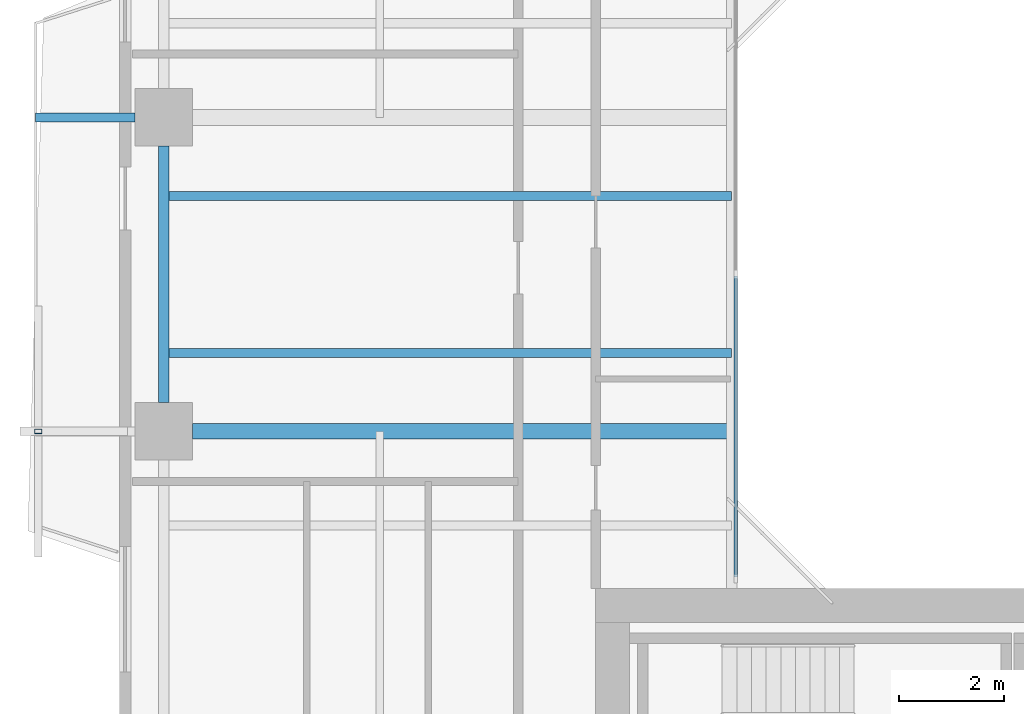
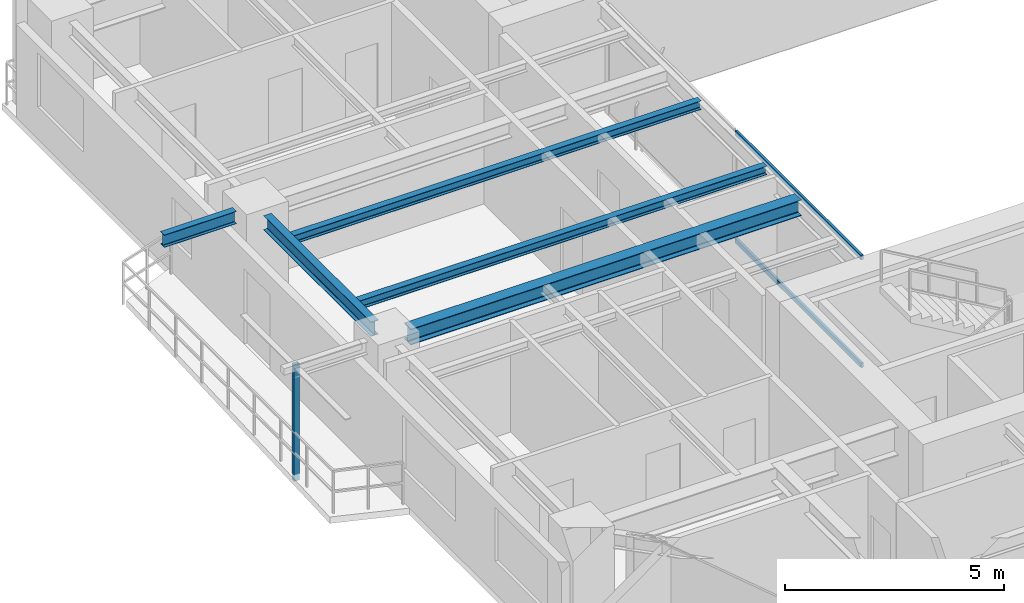
# One storey, part 4 of 17: 5 beams, 3 members, 1 element without a shape of its own.
"""IFC4 building model written with IfcOpenShell, lengths in metres."""

from ifc_helpers import new_model, si_unit, direction, frame, origin, origin_2d, place, context, subcontext, project, spatial, rectangle, hollow_rectangle, i_section, extrude, source, transform, mapped, material, layer, layer_set, material_profile, profile_set, type_object, element, aggregate, save


model = new_model("IFC4")

# Units and contexts
model_context = context("Model", 3, precision=1e-05, world=origin(), true_north=direction((0.0, 1.0)))
body_context = subcontext(model_context, "Body", "Model", "MODEL_VIEW")
ifc_project = project(units=[si_unit("LENGTHUNIT", "METRE"), si_unit("AREAUNIT", "SQUARE_METRE"), si_unit("VOLUMEUNIT", "CUBIC_METRE"), si_unit("PLANEANGLEUNIT", "RADIAN"), si_unit("MASSUNIT", "GRAM", prefix="KILO"), si_unit("THERMODYNAMICTEMPERATUREUNIT", "KELVIN"), si_unit("POWERUNIT", "WATT")], contexts=[model_context])

# Site, building, storey
site_placement = place(None, origin())
site = spatial("IfcSite", under=ifc_project, at=site_placement, CompositionType="ELEMENT")
building_placement = place(site_placement, origin())
building = spatial("IfcBuilding", under=site, at=building_placement, Name="Qiaomeng Ring Towers", CompositionType="ELEMENT")
storey_placement = place(building_placement, frame((0.0, 0.0, 129.5)))
storey = spatial("IfcBuildingStorey", under=building, at=storey_placement, Name="L37", CompositionType="ELEMENT", Elevation=129.5)

# Beams
ifc_material_1 = material(Name="Steel Q355B", Category="steel")
ifc_material_profile_1 = material_profile(ifc_material_1, i_section(OverallWidth=0.199951171875, OverallDepth=0.39990234375, WebThickness=0.008056640625, FlangeThickness=0.012939453125, FilletRadius=0.01611328125, at=origin_2d()), Name="HN 400x200x8x13")
ifc_profile_set_1 = profile_set([ifc_material_profile_1], Name="Steel Q355B")
beam_type_1 = type_object("IfcBeamType", Name="STR-BM-HN400", PredefinedType="SPANDREL", material=ifc_profile_set_1)
shared_shape_1 = source(origin(), body_context, "Body", "SweptSolid", [
    extrude(i_section(OverallWidth=0.199951171875, OverallDepth=0.39990234375, WebThickness=0.008056640625, FlangeThickness=0.012939453125, FilletRadius=0.01611328125, at=origin_2d()), origin(), (0.0, 0.0, 1.0), 4.90185546875),
])
beam_1_placement = place(storey_placement, frame((1.949951171875, 25.450927734375, 2.8701171875), z_axis=(0.0, -1.0, 0.0), x_axis=(1.0, 0.0, 0.0)))
element("IfcBeam", 1, at=beam_1_placement, inside=storey, type_object=beam_type_1, Name="L37 beam STR-SP-L37-T1-W3-W2", PredefinedType="SPANDREL", context=body_context, shape_type="MappedRepresentation", body=[
    mapped(shared_shape_1, transform((0.0, 0.0, 0.0), x_axis=(1.0, 0.0, 0.0), y_axis=(0.0, 1.0, 0.0), z_axis=(0.0, 0.0, 1.0), scale=1.0)),
])
ifc_material_profile_2 = material_profile(ifc_material_1, i_section(OverallWidth=0.300048828125, OverallDepth=0.43994140625, WebThickness=0.010986328125, FlangeThickness=0.01806640625, FilletRadius=0.02392578125, at=origin_2d()), Name="HM 440x300x11x18")
ifc_profile_set_2 = profile_set([ifc_material_profile_2], Name="Steel Q355B")
beam_type_2 = type_object("IfcBeamType", Name="STR-BM-HM440", PredefinedType="BEAM", material=ifc_profile_set_2)
shared_shape_2 = source(origin(), body_context, "Body", "SweptSolid", [
    extrude(i_section(OverallWidth=0.300048828125, OverallDepth=0.43994140625, WebThickness=0.010986328125, FlangeThickness=0.01806640625, FilletRadius=0.02392578125, at=origin_2d()), origin(), (0.0, 0.0, 1.0), 10.301025390625),
])
beam_2_placement = place(storey_placement, frame((2.4990234375, 20.0, 2.85009765625), z_axis=(1.0, 0.0, 0.0), x_axis=(0.0, 1.0, 0.0)))
element("IfcBeam", 2, at=beam_2_placement, inside=storey, type_object=beam_type_2, Name="L37 beam STR-BM-L37-T1-RAD-W2", PredefinedType="BEAM", context=body_context, shape_type="MappedRepresentation", body=[
    mapped(shared_shape_2, transform((0.0, 0.0, 0.0), x_axis=(1.0, 0.0, 0.0), y_axis=(0.0, 1.0, 0.0), z_axis=(0.0, 0.0, 1.0), scale=1.0)),
])
ifc_material_profile_3 = material_profile(ifc_material_1, i_section(OverallWidth=0.175048828125, OverallDepth=0.243896484375, WebThickness=0.007080078125, FlangeThickness=0.010986328125, FilletRadius=0.01611328125, at=origin_2d()), Name="HM 244x175x7x11")
ifc_profile_set_3 = profile_set([ifc_material_profile_3], Name="Steel Q355B")
beam_type_3 = type_object("IfcBeamType", Name="STR-BM-HM244", PredefinedType="JOIST", material=ifc_profile_set_3)
shared_shape_3 = source(origin(), body_context, "Body", "SweptSolid", [
    extrude(i_section(OverallWidth=0.175048828125, OverallDepth=0.243896484375, WebThickness=0.007080078125, FlangeThickness=0.010986328125, FilletRadius=0.01611328125, at=origin_2d()), origin(), (0.0, 0.0, 1.0), 10.85009765625),
])
for number, where, z_axis, x_axis, name in (
    (3, (1.949951171875, 21.5, 2.947998046875), (1.0, 0.0, 0.0), (0.0, 1.0, 0.0), "L37 beam STR-JST-L37-T1W-2"),
    (4, (1.949951171875, 24.5, 2.947998046875), (1.0, 0.0, 0.0), (0.0, 1.0, 0.0), "L37 beam STR-JST-L37-T1W-3"),
):
    element("IfcBeam", number, at=place(storey_placement, frame(where, z_axis=z_axis, x_axis=x_axis)), inside=storey, type_object=beam_type_3, Name=name, PredefinedType="JOIST", context=body_context, shape_type="MappedRepresentation", body=[
        mapped(shared_shape_3, transform((0.0, 0.0, 0.0), x_axis=(1.0, 0.0, 0.0), y_axis=(0.0, 1.0, 0.0), z_axis=(0.0, 0.0, 1.0), scale=1.0)),
    ])
ifc_material_profile_4 = material_profile(ifc_material_1, i_section(OverallWidth=0.175048828125, OverallDepth=0.35009765625, WebThickness=0.007080078125, FlangeThickness=0.010986328125, FilletRadius=0.013916015625, at=origin_2d()), Name="HN 350x175x7x11")
ifc_profile_set_4 = profile_set([ifc_material_profile_4], Name="Steel Q355B")
beam_type_4 = type_object("IfcBeamType", Name="STR-BM-HN350", PredefinedType="JOIST", material=ifc_profile_set_4)
shared_shape_4 = source(origin(), body_context, "Body", "SweptSolid", [
    extrude(i_section(OverallWidth=0.175048828125, OverallDepth=0.35009765625, WebThickness=0.007080078125, FlangeThickness=0.010986328125, FilletRadius=0.013916015625, at=origin_2d()), origin(), (0.0, 0.0, 1.0), 1.90087890625),
])
beam_3_placement = place(storey_placement, frame((-0.5, 26.0, 2.89501953125), z_axis=(1.0, 0.0, 0.0), x_axis=(0.0, 1.0, 0.0)))
element("IfcBeam", 5, at=beam_3_placement, inside=storey, type_object=beam_type_4, Name="L37 beam STR-BALBM-L37-W3", PredefinedType="JOIST", context=body_context, shape_type="MappedRepresentation", body=[
    mapped(shared_shape_4, transform((0.0, 0.0, 0.0), x_axis=(1.0, 0.0, 0.0), y_axis=(0.0, 1.0, 0.0), z_axis=(0.0, 0.0, 1.0), scale=1.0)),
])

# Curtain wall, members
ifc_material_2 = material(Name="Fluorocarbon dark-grey aluminium", Category="aluminium")
ifc_layer = layer(ifc_material_2, 0.139892578125, Name="Fluorocarbon dark-grey aluminium")
ifc_layer_set = layer_set([ifc_layer], Name="Fluorocarbon dark-grey aluminium")
curtain_wall_type = type_object("IfcCurtainWallType", Name="ARC-CW-4", PredefinedType="NOTDEFINED", material=ifc_layer_set)
curtain_wall_placement = place(storey_placement, origin())
curtain_wall = element("IfcCurtainWall", 6, at=curtain_wall_placement, inside=storey, type_object=curtain_wall_type, Name="L37 Curtain Wall CW4", PredefinedType="NOTDEFINED")
ifc_material_profile_5 = material_profile(ifc_material_2, rectangle(XDim=0.06494140625, YDim=0.1298828125, at=origin_2d()), Name="ALU TRAN 65x130")
ifc_profile_set_5 = profile_set([ifc_material_profile_5], Name="Fluorocarbon dark-grey aluminium")
member_type_1 = type_object("IfcMemberType", Name="ARC-CWT-120", PredefinedType="USERDEFINED", material=ifc_profile_set_5)
shared_shape_5 = source(origin(), body_context, "Body", "SweptSolid", [
    extrude(rectangle(XDim=0.06494140625, YDim=0.1298828125, at=origin_2d()), origin(), (0.0, 0.0, 1.0), 5.75244140625),
])
member_1_placement = place(storey_placement, frame((12.8798828125, 17.215087890625, 0.032470703125), z_axis=(0.0, 1.0, 0.0), x_axis=(-1.0, 0.0, 0.0)))
member_1 = element("IfcMember", 7, at=member_1_placement, type_object=member_type_1, Name="CW4 transom 1.1", ObjectType="TRANSOM", PredefinedType="USERDEFINED", context=body_context, shape_type="MappedRepresentation", body=[
    mapped(shared_shape_5, transform((0.0, 0.0, 0.0), x_axis=(1.0, 0.0, 0.0), y_axis=(0.0, 1.0, 0.0), z_axis=(0.0, 0.0, 1.0), scale=1.0)),
])
member_2_placement = place(storey_placement, frame((12.8798828125, 17.215087890625, 3.03759765625), z_axis=(0.0, 1.0, 0.0), x_axis=(-1.0, 0.0, 0.0)))
member_2 = element("IfcMember", 8, at=member_2_placement, type_object=member_type_1, Name="CW4 transom 1.2", ObjectType="TRANSOM", PredefinedType="USERDEFINED", context=body_context, shape_type="MappedRepresentation", body=[
    mapped(shared_shape_5, transform((0.0, 0.0, 0.0), x_axis=(1.0, 0.0, 0.0), y_axis=(0.0, 1.0, 0.0), z_axis=(0.0, 0.0, 1.0), scale=1.0)),
])
aggregate(curtain_wall, [member_1, member_2])

# Member
ifc_material_3 = material(Name="Stainless steel 316", Category="steel")
ifc_material_profile_6 = material_profile(ifc_material_3, hollow_rectangle(XDim=0.090087890625, YDim=0.139892578125, WallThickness=0.0048828125, at=origin_2d()), Name="SS TRELLIS 90x140")
ifc_profile_set_6 = profile_set([ifc_material_profile_6], Name="Stainless steel 316")
member_type_2 = type_object("IfcMemberType", Name="ARC-TR-POST1", PredefinedType="STUD", material=ifc_profile_set_6)
shared_shape_6 = source(origin(), body_context, "Body", "SweptSolid", [
    extrude(hollow_rectangle(XDim=0.090087890625, YDim=0.139892578125, WallThickness=0.0048828125, at=origin_2d()), origin(), (0.0, 0.0, 1.0), 3.25),
])
member_3_placement = place(storey_placement, frame((-0.449951171875, 20.0, -0.179931640625), z_axis=(0.0, 0.0, 1.0), x_axis=(0.0, 1.0, 0.0)))
element("IfcMember", 9, at=member_3_placement, inside=storey, type_object=member_type_2, Name="L37 Outer Ventilated Trellis Post W", PredefinedType="STUD", context=body_context, shape_type="MappedRepresentation", body=[
    mapped(shared_shape_6, transform((0.0, 0.0, 0.0), x_axis=(1.0, 0.0, 0.0), y_axis=(0.0, 1.0, 0.0), z_axis=(0.0, 0.0, 1.0), scale=1.0)),
])

save(model, "model.ifc")
